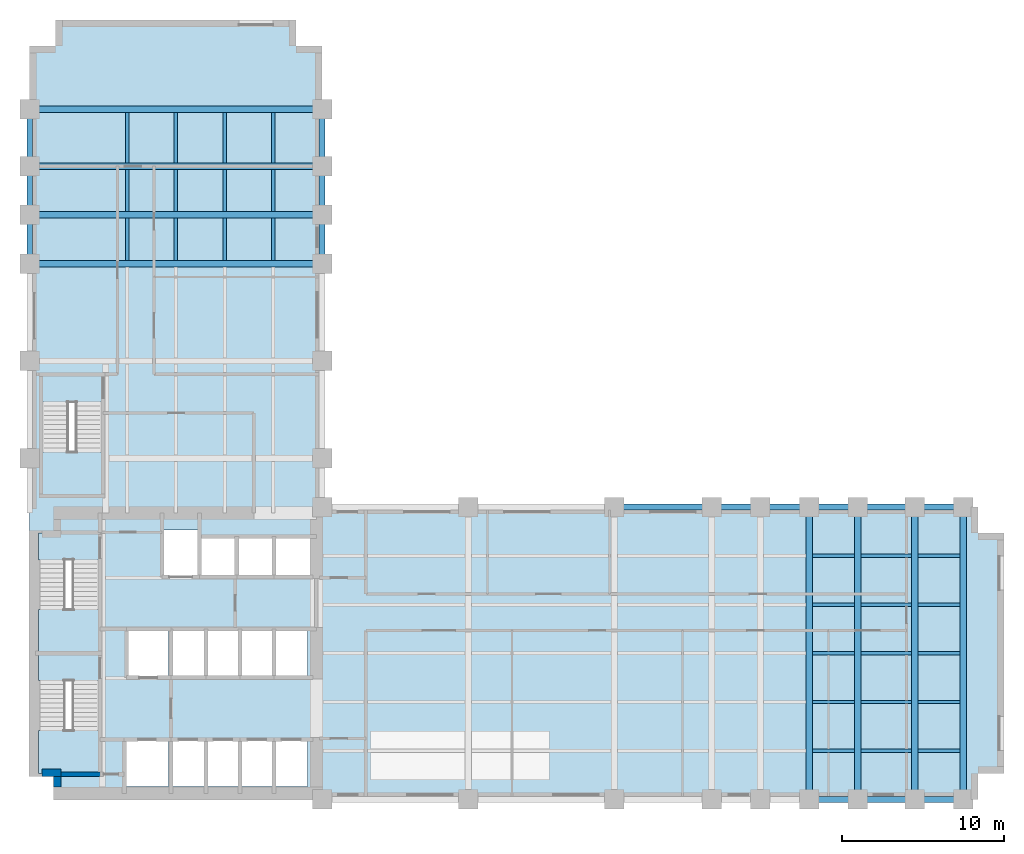
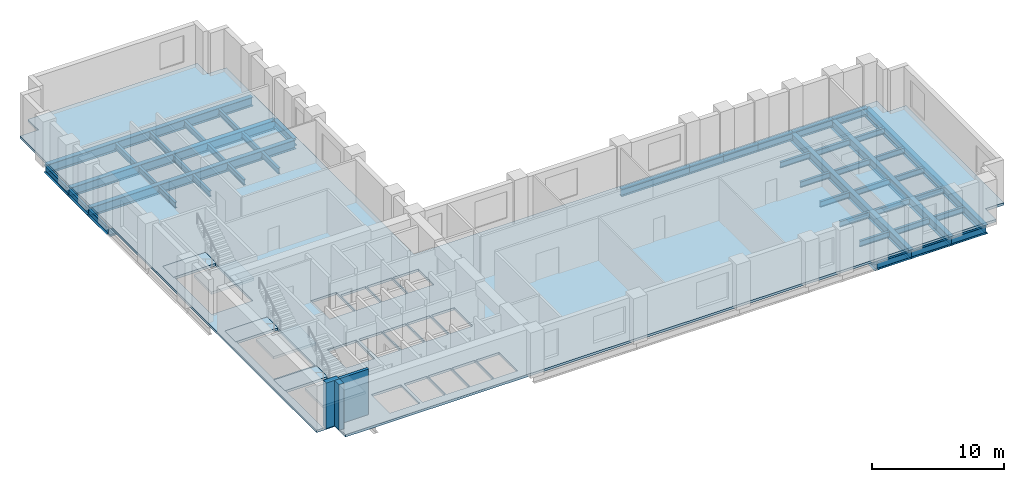
# One storey, part 2 of 7: 50 beams, 7 slabs, 3 walls, 3 elements without a shape of their own.
"""IFC4 building model written with IfcOpenShell, lengths in metres."""

from ifc_helpers import new_model, si_unit, direction, frame, frame_2d, origin, origin_2d, place, context, subcontext, project, spatial, polyline, rectangle, i_section, outline, extrude, material, layer, layer_set, material_profile, profile_set, type_object, element, aggregate, save


model = new_model("IFC4")

# Units and contexts
model_context = context("Model", 3, precision=1e-05, world=origin(), true_north=direction((0.0, 1.0)))
body_context = subcontext(model_context, "Body", "Model", "MODEL_VIEW")
ifc_project = project(units=[si_unit("LENGTHUNIT", "METRE"), si_unit("AREAUNIT", "SQUARE_METRE"), si_unit("VOLUMEUNIT", "CUBIC_METRE"), si_unit("PLANEANGLEUNIT", "RADIAN"), si_unit("MASSUNIT", "GRAM", prefix="KILO")], contexts=[model_context])

# Site, building, storey
site_placement = place(None, origin())
site = spatial("IfcSite", under=ifc_project, at=site_placement, CompositionType="ELEMENT")
building_placement = place(site_placement, origin())
building = spatial("IfcBuilding", under=site, at=building_placement, Name="Mawjdan Bourse Tower", CompositionType="ELEMENT")
storey_placement = place(building_placement, frame((0.0, 0.0, 42.60009765625)))
storey = spatial("IfcBuildingStorey", under=building, at=storey_placement, Name="L09", CompositionType="ELEMENT", Elevation=42.60009765625)

# Beams
ifc_material_1 = material(Name="Structural Steel S355", Category="steel")
ifc_material_profile_1 = material_profile(ifc_material_1, i_section(OverallWidth=0.39892578125, OverallDepth=0.85595703125, WebThickness=0.018310546875, FlangeThickness=0.029296875, FilletRadius=0.0234375, at=origin_2d()), Name="W33X201")
ifc_profile_set_1 = profile_set([ifc_material_profile_1], Name="Structural Steel S355")
beam_type_1 = type_object("IfcBeamType", Name="GRD-W33X201", PredefinedType="BEAM", material=ifc_profile_set_1)
for number, where, z_axis, x_axis, name in (
    (1, (54.0, 3.0, -0.648193359375), (0.0, 1.0, 0.0), (-1.0, 0.0, 0.0), "L09 East Wing Clear-Span Girder 006"),
    (2, (57.0, 3.0, -0.648193359375), (0.0, 1.0, 0.0), (-1.0, 0.0, 0.0), "L09 East Wing Clear-Span Girder 007"),
    (3, (60.5, 3.0, -0.648193359375), (0.0, 1.0, 0.0), (-1.0, 0.0, 0.0), "L09 East Wing Clear-Span Girder 008"),
    (4, (63.5, 3.0, -0.648193359375), (0.0, 1.0, 0.0), (-1.0, 0.0, 0.0), "L09 East Wing Clear-Span Girder 009"),
    (5, (6.0, 36.0, -0.648193359375), (1.0, 0.0, 0.0), (0.0, 1.0, 0.0), "L09 North Wing Clear-Span Girder 073"),
    (6, (6.0, 39.0, -0.648193359375), (1.0, 0.0, 0.0), (0.0, 1.0, 0.0), "L09 North Wing Clear-Span Girder 074"),
    (7, (6.0, 42.0, -0.648193359375), (1.0, 0.0, 0.0), (0.0, 1.0, 0.0), "L09 North Wing Clear-Span Girder 075"),
    (8, (6.0, 45.5, -0.648193359375), (1.0, 0.0, 0.0), (0.0, 1.0, 0.0), "L09 North Wing Clear-Span Girder 076"),
):
    element("IfcBeam", number, at=place(storey_placement, frame(where, z_axis=z_axis, x_axis=x_axis)), inside=storey, type_object=beam_type_1, Name=name, PredefinedType="BEAM", context=body_context, shape_type="SweptSolid", body=[
        extrude(i_section(OverallWidth=0.39892578125, OverallDepth=0.85595703125, WebThickness=0.018310546875, FlangeThickness=0.029296875, FilletRadius=0.0234375, at=origin_2d()), origin(), (0.0, 0.0, 1.0), 18.0),
    ])
ifc_material_profile_2 = material_profile(ifc_material_1, i_section(OverallWidth=0.2119140625, OverallDepth=0.5439453125, WebThickness=0.01318359375, FlangeThickness=0.021240234375, FilletRadius=0.01708984375, at=origin_2d()), Name="W21X83")
ifc_profile_set_2 = profile_set([ifc_material_profile_2], Name="Structural Steel S355")
beam_type_2 = type_object("IfcBeamType", Name="JST-W21X83", PredefinedType="JOIST", material=ifc_profile_set_2)
beam_1_placement = place(storey_placement, frame((54.197509765625, 6.0, -0.4921875), z_axis=(1.0, 0.0, 0.0), x_axis=(0.0, 1.0, 0.0)))
element("IfcBeam", 9, at=beam_1_placement, inside=storey, type_object=beam_type_2, Name="L09 East Wing Composite Joist 031", PredefinedType="JOIST", context=body_context, shape_type="SweptSolid", body=[
    extrude(i_section(OverallWidth=0.2119140625, OverallDepth=0.5439453125, WebThickness=0.01318359375, FlangeThickness=0.021240234375, FilletRadius=0.01708984375, at=origin_2d()), origin(), (0.0, 0.0, 1.0), 2.60498046875),
])
beam_2_placement = place(storey_placement, frame((57.197509765625, 6.0, -0.4921875), z_axis=(1.0, 0.0, 0.0), x_axis=(0.0, 1.0, 0.0)))
element("IfcBeam", 10, at=beam_2_placement, inside=storey, type_object=beam_type_2, Name="L09 East Wing Composite Joist 032", PredefinedType="JOIST", context=body_context, shape_type="SweptSolid", body=[
    extrude(i_section(OverallWidth=0.2119140625, OverallDepth=0.5439453125, WebThickness=0.01318359375, FlangeThickness=0.021240234375, FilletRadius=0.01708984375, at=origin_2d()), origin(), (0.0, 0.0, 1.0), 3.10498046875),
])
for number, where, z_axis, x_axis, name in (
    (11, (60.697509765625, 6.0, -0.4921875), (1.0, 0.0, 0.0), (0.0, 1.0, 0.0), "L09 East Wing Composite Joist 033"),
    (12, (54.197509765625, 9.0, -0.4921875), (1.0, 0.0, 0.0), (0.0, 1.0, 0.0), "L09 East Wing Composite Joist 039"),
):
    element("IfcBeam", number, at=place(storey_placement, frame(where, z_axis=z_axis, x_axis=x_axis)), inside=storey, type_object=beam_type_2, Name=name, PredefinedType="JOIST", context=body_context, shape_type="SweptSolid", body=[
        extrude(i_section(OverallWidth=0.2119140625, OverallDepth=0.5439453125, WebThickness=0.01318359375, FlangeThickness=0.021240234375, FilletRadius=0.01708984375, at=origin_2d()), origin(), (0.0, 0.0, 1.0), 2.60498046875),
    ])
beam_3_placement = place(storey_placement, frame((57.197509765625, 9.0, -0.4921875), z_axis=(1.0, 0.0, 0.0), x_axis=(0.0, 1.0, 0.0)))
element("IfcBeam", 13, at=beam_3_placement, inside=storey, type_object=beam_type_2, Name="L09 East Wing Composite Joist 040", PredefinedType="JOIST", context=body_context, shape_type="SweptSolid", body=[
    extrude(i_section(OverallWidth=0.2119140625, OverallDepth=0.5439453125, WebThickness=0.01318359375, FlangeThickness=0.021240234375, FilletRadius=0.01708984375, at=origin_2d()), origin(), (0.0, 0.0, 1.0), 3.10498046875),
])
for number, where, z_axis, x_axis, name in (
    (14, (60.697509765625, 9.0, -0.4921875), (1.0, 0.0, 0.0), (0.0, 1.0, 0.0), "L09 East Wing Composite Joist 041"),
    (15, (54.197509765625, 12.0, -0.4921875), (1.0, 0.0, 0.0), (0.0, 1.0, 0.0), "L09 East Wing Composite Joist 047"),
):
    element("IfcBeam", number, at=place(storey_placement, frame(where, z_axis=z_axis, x_axis=x_axis)), inside=storey, type_object=beam_type_2, Name=name, PredefinedType="JOIST", context=body_context, shape_type="SweptSolid", body=[
        extrude(i_section(OverallWidth=0.2119140625, OverallDepth=0.5439453125, WebThickness=0.01318359375, FlangeThickness=0.021240234375, FilletRadius=0.01708984375, at=origin_2d()), origin(), (0.0, 0.0, 1.0), 2.60498046875),
    ])
beam_4_placement = place(storey_placement, frame((57.197509765625, 12.0, -0.4921875), z_axis=(1.0, 0.0, 0.0), x_axis=(0.0, 1.0, 0.0)))
element("IfcBeam", 16, at=beam_4_placement, inside=storey, type_object=beam_type_2, Name="L09 East Wing Composite Joist 048", PredefinedType="JOIST", context=body_context, shape_type="SweptSolid", body=[
    extrude(i_section(OverallWidth=0.2119140625, OverallDepth=0.5439453125, WebThickness=0.01318359375, FlangeThickness=0.021240234375, FilletRadius=0.01708984375, at=origin_2d()), origin(), (0.0, 0.0, 1.0), 3.10498046875),
])
for number, where, z_axis, x_axis, name in (
    (17, (60.697509765625, 12.0, -0.4921875), (1.0, 0.0, 0.0), (0.0, 1.0, 0.0), "L09 East Wing Composite Joist 049"),
    (18, (54.197509765625, 15.0, -0.4921875), (1.0, 0.0, 0.0), (0.0, 1.0, 0.0), "L09 East Wing Composite Joist 055"),
):
    element("IfcBeam", number, at=place(storey_placement, frame(where, z_axis=z_axis, x_axis=x_axis)), inside=storey, type_object=beam_type_2, Name=name, PredefinedType="JOIST", context=body_context, shape_type="SweptSolid", body=[
        extrude(i_section(OverallWidth=0.2119140625, OverallDepth=0.5439453125, WebThickness=0.01318359375, FlangeThickness=0.021240234375, FilletRadius=0.01708984375, at=origin_2d()), origin(), (0.0, 0.0, 1.0), 2.60498046875),
    ])
beam_5_placement = place(storey_placement, frame((57.197509765625, 15.0, -0.4921875), z_axis=(1.0, 0.0, 0.0), x_axis=(0.0, 1.0, 0.0)))
element("IfcBeam", 19, at=beam_5_placement, inside=storey, type_object=beam_type_2, Name="L09 East Wing Composite Joist 056", PredefinedType="JOIST", context=body_context, shape_type="SweptSolid", body=[
    extrude(i_section(OverallWidth=0.2119140625, OverallDepth=0.5439453125, WebThickness=0.01318359375, FlangeThickness=0.021240234375, FilletRadius=0.01708984375, at=origin_2d()), origin(), (0.0, 0.0, 1.0), 3.10498046875),
])
for number, where, z_axis, x_axis, name in (
    (20, (60.697509765625, 15.0, -0.4921875), (1.0, 0.0, 0.0), (0.0, 1.0, 0.0), "L09 East Wing Composite Joist 057"),
    (21, (54.197509765625, 18.0, -0.4921875), (1.0, 0.0, 0.0), (0.0, 1.0, 0.0), "L09 East Wing Composite Joist 063"),
):
    element("IfcBeam", number, at=place(storey_placement, frame(where, z_axis=z_axis, x_axis=x_axis)), inside=storey, type_object=beam_type_2, Name=name, PredefinedType="JOIST", context=body_context, shape_type="SweptSolid", body=[
        extrude(i_section(OverallWidth=0.2119140625, OverallDepth=0.5439453125, WebThickness=0.01318359375, FlangeThickness=0.021240234375, FilletRadius=0.01708984375, at=origin_2d()), origin(), (0.0, 0.0, 1.0), 2.60498046875),
    ])
beam_6_placement = place(storey_placement, frame((57.197509765625, 18.0, -0.4921875), z_axis=(1.0, 0.0, 0.0), x_axis=(0.0, 1.0, 0.0)))
element("IfcBeam", 22, at=beam_6_placement, inside=storey, type_object=beam_type_2, Name="L09 East Wing Composite Joist 064", PredefinedType="JOIST", context=body_context, shape_type="SweptSolid", body=[
    extrude(i_section(OverallWidth=0.2119140625, OverallDepth=0.5439453125, WebThickness=0.01318359375, FlangeThickness=0.021240234375, FilletRadius=0.01708984375, at=origin_2d()), origin(), (0.0, 0.0, 1.0), 3.10498046875),
])
for number, where, z_axis, x_axis, name in (
    (23, (60.697509765625, 18.0, -0.4921875), (1.0, 0.0, 0.0), (0.0, 1.0, 0.0), "L09 East Wing Composite Joist 065"),
    (24, (12.0, 36.197509765625, -0.4921875), (0.0, 1.0, 0.0), (-1.0, 0.0, 0.0), "L09 North Wing Composite Joist 092"),
    (25, (12.0, 39.197509765625, -0.4921875), (0.0, 1.0, 0.0), (-1.0, 0.0, 0.0), "L09 North Wing Composite Joist 093"),
):
    element("IfcBeam", number, at=place(storey_placement, frame(where, z_axis=z_axis, x_axis=x_axis)), inside=storey, type_object=beam_type_2, Name=name, PredefinedType="JOIST", context=body_context, shape_type="SweptSolid", body=[
        extrude(i_section(OverallWidth=0.2119140625, OverallDepth=0.5439453125, WebThickness=0.01318359375, FlangeThickness=0.021240234375, FilletRadius=0.01708984375, at=origin_2d()), origin(), (0.0, 0.0, 1.0), 2.60498046875),
    ])
beam_7_placement = place(storey_placement, frame((12.0, 42.197509765625, -0.4921875), z_axis=(0.0, 1.0, 0.0), x_axis=(-1.0, 0.0, 0.0)))
element("IfcBeam", 26, at=beam_7_placement, inside=storey, type_object=beam_type_2, Name="L09 North Wing Composite Joist 094", PredefinedType="JOIST", context=body_context, shape_type="SweptSolid", body=[
    extrude(i_section(OverallWidth=0.2119140625, OverallDepth=0.5439453125, WebThickness=0.01318359375, FlangeThickness=0.021240234375, FilletRadius=0.01708984375, at=origin_2d()), origin(), (0.0, 0.0, 1.0), 3.10498046875),
])
for number, where, z_axis, x_axis, name in (
    (27, (15.0, 36.197509765625, -0.4921875), (0.0, 1.0, 0.0), (-1.0, 0.0, 0.0), "L09 North Wing Composite Joist 098"),
    (28, (15.0, 39.197509765625, -0.4921875), (0.0, 1.0, 0.0), (-1.0, 0.0, 0.0), "L09 North Wing Composite Joist 099"),
):
    element("IfcBeam", number, at=place(storey_placement, frame(where, z_axis=z_axis, x_axis=x_axis)), inside=storey, type_object=beam_type_2, Name=name, PredefinedType="JOIST", context=body_context, shape_type="SweptSolid", body=[
        extrude(i_section(OverallWidth=0.2119140625, OverallDepth=0.5439453125, WebThickness=0.01318359375, FlangeThickness=0.021240234375, FilletRadius=0.01708984375, at=origin_2d()), origin(), (0.0, 0.0, 1.0), 2.60498046875),
    ])
beam_8_placement = place(storey_placement, frame((15.0, 42.197509765625, -0.4921875), z_axis=(0.0, 1.0, 0.0), x_axis=(-1.0, 0.0, 0.0)))
element("IfcBeam", 29, at=beam_8_placement, inside=storey, type_object=beam_type_2, Name="L09 North Wing Composite Joist 100", PredefinedType="JOIST", context=body_context, shape_type="SweptSolid", body=[
    extrude(i_section(OverallWidth=0.2119140625, OverallDepth=0.5439453125, WebThickness=0.01318359375, FlangeThickness=0.021240234375, FilletRadius=0.01708984375, at=origin_2d()), origin(), (0.0, 0.0, 1.0), 3.10498046875),
])
for number, where, z_axis, x_axis, name in (
    (30, (18.0, 36.197509765625, -0.4921875), (0.0, 1.0, 0.0), (-1.0, 0.0, 0.0), "L09 North Wing Composite Joist 104"),
    (31, (18.0, 39.197509765625, -0.4921875), (0.0, 1.0, 0.0), (-1.0, 0.0, 0.0), "L09 North Wing Composite Joist 105"),
):
    element("IfcBeam", number, at=place(storey_placement, frame(where, z_axis=z_axis, x_axis=x_axis)), inside=storey, type_object=beam_type_2, Name=name, PredefinedType="JOIST", context=body_context, shape_type="SweptSolid", body=[
        extrude(i_section(OverallWidth=0.2119140625, OverallDepth=0.5439453125, WebThickness=0.01318359375, FlangeThickness=0.021240234375, FilletRadius=0.01708984375, at=origin_2d()), origin(), (0.0, 0.0, 1.0), 2.60498046875),
    ])
beam_9_placement = place(storey_placement, frame((18.0, 42.197509765625, -0.4921875), z_axis=(0.0, 1.0, 0.0), x_axis=(-1.0, 0.0, 0.0)))
element("IfcBeam", 32, at=beam_9_placement, inside=storey, type_object=beam_type_2, Name="L09 North Wing Composite Joist 106", PredefinedType="JOIST", context=body_context, shape_type="SweptSolid", body=[
    extrude(i_section(OverallWidth=0.2119140625, OverallDepth=0.5439453125, WebThickness=0.01318359375, FlangeThickness=0.021240234375, FilletRadius=0.01708984375, at=origin_2d()), origin(), (0.0, 0.0, 1.0), 3.10498046875),
])
for number, where, z_axis, x_axis, name in (
    (33, (21.0, 36.197509765625, -0.4921875), (0.0, 1.0, 0.0), (-1.0, 0.0, 0.0), "L09 North Wing Composite Joist 110"),
    (34, (21.0, 39.197509765625, -0.4921875), (0.0, 1.0, 0.0), (-1.0, 0.0, 0.0), "L09 North Wing Composite Joist 111"),
):
    element("IfcBeam", number, at=place(storey_placement, frame(where, z_axis=z_axis, x_axis=x_axis)), inside=storey, type_object=beam_type_2, Name=name, PredefinedType="JOIST", context=body_context, shape_type="SweptSolid", body=[
        extrude(i_section(OverallWidth=0.2119140625, OverallDepth=0.5439453125, WebThickness=0.01318359375, FlangeThickness=0.021240234375, FilletRadius=0.01708984375, at=origin_2d()), origin(), (0.0, 0.0, 1.0), 2.60498046875),
    ])
beam_10_placement = place(storey_placement, frame((21.0, 42.197509765625, -0.4921875), z_axis=(0.0, 1.0, 0.0), x_axis=(-1.0, 0.0, 0.0)))
element("IfcBeam", 35, at=beam_10_placement, inside=storey, type_object=beam_type_2, Name="L09 North Wing Composite Joist 112", PredefinedType="JOIST", context=body_context, shape_type="SweptSolid", body=[
    extrude(i_section(OverallWidth=0.2119140625, OverallDepth=0.5439453125, WebThickness=0.01318359375, FlangeThickness=0.021240234375, FilletRadius=0.01708984375, at=origin_2d()), origin(), (0.0, 0.0, 1.0), 3.10498046875),
])
ifc_material_profile_3 = material_profile(ifc_material_1, i_section(OverallWidth=0.35498046875, OverallDepth=0.696044921875, WebThickness=0.015380859375, FlangeThickness=0.02490234375, FilletRadius=0.019775390625, at=origin_2d()), Name="W27X146")
ifc_profile_set_3 = profile_set([ifc_material_profile_3], Name="Structural Steel S355")
beam_type_3 = type_object("IfcBeamType", Name="SPN-W27X146", PredefinedType="SPANDREL", material=ifc_profile_set_3)
beam_11_placement = place(storey_placement, frame((54.0, 3.0, -0.568115234375), z_axis=(1.0, 0.0, 0.0), x_axis=(0.0, 1.0, 0.0)))
element("IfcBeam", 36, at=beam_11_placement, inside=storey, type_object=beam_type_3, Name="L09 Perimeter Masonry-Shelf Spandrel 015", PredefinedType="SPANDREL", context=body_context, shape_type="SweptSolid", body=[
    extrude(i_section(OverallWidth=0.35498046875, OverallDepth=0.696044921875, WebThickness=0.015380859375, FlangeThickness=0.02490234375, FilletRadius=0.019775390625, at=origin_2d()), origin(), (0.0, 0.0, 1.0), 3.0),
])
beam_12_placement = place(storey_placement, frame((57.0, 3.0, -0.568115234375), z_axis=(1.0, 0.0, 0.0), x_axis=(0.0, 1.0, 0.0)))
element("IfcBeam", 37, at=beam_12_placement, inside=storey, type_object=beam_type_3, Name="L09 Perimeter Masonry-Shelf Spandrel 016", PredefinedType="SPANDREL", context=body_context, shape_type="SweptSolid", body=[
    extrude(i_section(OverallWidth=0.35498046875, OverallDepth=0.696044921875, WebThickness=0.015380859375, FlangeThickness=0.02490234375, FilletRadius=0.019775390625, at=origin_2d()), origin(), (0.0, 0.0, 1.0), 3.5),
])
beam_13_placement = place(storey_placement, frame((60.5, 3.0, -0.568115234375), z_axis=(1.0, 0.0, 0.0), x_axis=(0.0, 1.0, 0.0)))
element("IfcBeam", 38, at=beam_13_placement, inside=storey, type_object=beam_type_3, Name="L09 Perimeter Masonry-Shelf Spandrel 017", PredefinedType="SPANDREL", context=body_context, shape_type="SweptSolid", body=[
    extrude(i_section(OverallWidth=0.35498046875, OverallDepth=0.696044921875, WebThickness=0.015380859375, FlangeThickness=0.02490234375, FilletRadius=0.019775390625, at=origin_2d()), origin(), (0.0, 0.0, 1.0), 3.0),
])
beam_14_placement = place(storey_placement, frame((42.0, 21.0, -0.568115234375), z_axis=(1.0, 0.0, 0.0), x_axis=(0.0, 1.0, 0.0)))
element("IfcBeam", 39, at=beam_14_placement, inside=storey, type_object=beam_type_3, Name="L09 Perimeter Masonry-Shelf Spandrel 020", PredefinedType="SPANDREL", context=body_context, shape_type="SweptSolid", body=[
    extrude(i_section(OverallWidth=0.35498046875, OverallDepth=0.696044921875, WebThickness=0.015380859375, FlangeThickness=0.02490234375, FilletRadius=0.019775390625, at=origin_2d()), origin(), (0.0, 0.0, 1.0), 6.0),
])
for number, where, z_axis, x_axis, name in (
    (40, (48.0, 21.0, -0.568115234375), (1.0, 0.0, 0.0), (0.0, 1.0, 0.0), "L09 Perimeter Masonry-Shelf Spandrel 021"),
    (41, (51.0, 21.0, -0.568115234375), (1.0, 0.0, 0.0), (0.0, 1.0, 0.0), "L09 Perimeter Masonry-Shelf Spandrel 022"),
    (42, (54.0, 21.0, -0.568115234375), (1.0, 0.0, 0.0), (0.0, 1.0, 0.0), "L09 Perimeter Masonry-Shelf Spandrel 023"),
):
    element("IfcBeam", number, at=place(storey_placement, frame(where, z_axis=z_axis, x_axis=x_axis)), inside=storey, type_object=beam_type_3, Name=name, PredefinedType="SPANDREL", context=body_context, shape_type="SweptSolid", body=[
        extrude(i_section(OverallWidth=0.35498046875, OverallDepth=0.696044921875, WebThickness=0.015380859375, FlangeThickness=0.02490234375, FilletRadius=0.019775390625, at=origin_2d()), origin(), (0.0, 0.0, 1.0), 3.0),
    ])
beam_15_placement = place(storey_placement, frame((57.0, 21.0, -0.568115234375), z_axis=(1.0, 0.0, 0.0), x_axis=(0.0, 1.0, 0.0)))
element("IfcBeam", 43, at=beam_15_placement, inside=storey, type_object=beam_type_3, Name="L09 Perimeter Masonry-Shelf Spandrel 024", PredefinedType="SPANDREL", context=body_context, shape_type="SweptSolid", body=[
    extrude(i_section(OverallWidth=0.35498046875, OverallDepth=0.696044921875, WebThickness=0.015380859375, FlangeThickness=0.02490234375, FilletRadius=0.019775390625, at=origin_2d()), origin(), (0.0, 0.0, 1.0), 3.5),
])
for number, where, z_axis, x_axis, name in (
    (44, (60.5, 21.0, -0.568115234375), (1.0, 0.0, 0.0), (0.0, 1.0, 0.0), "L09 Perimeter Masonry-Shelf Spandrel 025"),
    (45, (6.0, 36.0, -0.568115234375), (0.0, 1.0, 0.0), (-1.0, 0.0, 0.0), "L09 North Wing Spandrel 080"),
    (46, (6.0, 39.0, -0.568115234375), (0.0, 1.0, 0.0), (-1.0, 0.0, 0.0), "L09 North Wing Spandrel 081"),
):
    element("IfcBeam", number, at=place(storey_placement, frame(where, z_axis=z_axis, x_axis=x_axis)), inside=storey, type_object=beam_type_3, Name=name, PredefinedType="SPANDREL", context=body_context, shape_type="SweptSolid", body=[
        extrude(i_section(OverallWidth=0.35498046875, OverallDepth=0.696044921875, WebThickness=0.015380859375, FlangeThickness=0.02490234375, FilletRadius=0.019775390625, at=origin_2d()), origin(), (0.0, 0.0, 1.0), 3.0),
    ])
beam_16_placement = place(storey_placement, frame((6.0, 42.0, -0.568115234375), z_axis=(0.0, 1.0, 0.0), x_axis=(-1.0, 0.0, 0.0)))
element("IfcBeam", 47, at=beam_16_placement, inside=storey, type_object=beam_type_3, Name="L09 North Wing Spandrel 082", PredefinedType="SPANDREL", context=body_context, shape_type="SweptSolid", body=[
    extrude(i_section(OverallWidth=0.35498046875, OverallDepth=0.696044921875, WebThickness=0.015380859375, FlangeThickness=0.02490234375, FilletRadius=0.019775390625, at=origin_2d()), origin(), (0.0, 0.0, 1.0), 3.5),
])
for number, where, z_axis, x_axis, name in (
    (48, (24.0, 36.0, -0.568115234375), (0.0, 1.0, 0.0), (-1.0, 0.0, 0.0), "L09 North Wing Spandrel 086"),
    (49, (24.0, 39.0, -0.568115234375), (0.0, 1.0, 0.0), (-1.0, 0.0, 0.0), "L09 North Wing Spandrel 087"),
):
    element("IfcBeam", number, at=place(storey_placement, frame(where, z_axis=z_axis, x_axis=x_axis)), inside=storey, type_object=beam_type_3, Name=name, PredefinedType="SPANDREL", context=body_context, shape_type="SweptSolid", body=[
        extrude(i_section(OverallWidth=0.35498046875, OverallDepth=0.696044921875, WebThickness=0.015380859375, FlangeThickness=0.02490234375, FilletRadius=0.019775390625, at=origin_2d()), origin(), (0.0, 0.0, 1.0), 3.0),
    ])
beam_17_placement = place(storey_placement, frame((24.0, 42.0, -0.568115234375), z_axis=(0.0, 1.0, 0.0), x_axis=(-1.0, 0.0, 0.0)))
element("IfcBeam", 50, at=beam_17_placement, inside=storey, type_object=beam_type_3, Name="L09 North Wing Spandrel 088", PredefinedType="SPANDREL", context=body_context, shape_type="SweptSolid", body=[
    extrude(i_section(OverallWidth=0.35498046875, OverallDepth=0.696044921875, WebThickness=0.015380859375, FlangeThickness=0.02490234375, FilletRadius=0.019775390625, at=origin_2d()), origin(), (0.0, 0.0, 1.0), 3.5),
])

# Stair, slabs
ifc_material_2 = material(Name="Concrete C50/60", Category="concrete")
stair_type = type_object("IfcStairType", Name="STR-CORE-1500", PredefinedType="HALF_TURN_STAIR", material=ifc_material_2)
stair_1_placement = place(storey_placement, origin())
stair_1 = element("IfcStair", 51, at=stair_1_placement, inside=storey, type_object=stair_type, Name="L09 Exit Stair 1 (Core South-West)", PredefinedType="HALF_TURN_STAIR")
ifc_layer_1 = layer(ifc_material_2, 0.22998046875)
ifc_layer_set_1 = layer_set([ifc_layer_1], Name="Concrete C50/60")
slab_type_1 = type_object("IfcSlabType", Name="SL-LND-230", PredefinedType="LANDING", material=ifc_layer_set_1)
slab_1_placement = place(storey_placement, frame((0.0, 0.0, -0.22998046875)))
slab_1 = element("IfcSlab", 52, at=slab_1_placement, type_object=slab_type_1, Name="ST1-L09 landing 1", PredefinedType="LANDING", context=body_context, shape_type="SweptSolid", body=[
    extrude(outline(polyline([(6.5400390625, 10.31005859375), (10.260009765625, 10.31005859375), (10.260009765625, 11.969970703125), (6.5400390625, 11.969970703125), (6.5400390625, 10.31005859375)])), origin(), (0.0, 0.0, 1.0), 0.22998046875),
])
slab_2_placement = place(storey_placement, frame((0.0, 0.0, 1.869873046875)))
slab_2 = element("IfcSlab", 53, at=slab_2_placement, type_object=slab_type_1, Name="ST1-L09 landing 2", PredefinedType="LANDING", context=body_context, shape_type="SweptSolid", body=[
    extrude(outline(polyline([(6.5400390625, 4.590087890625), (10.260009765625, 4.590087890625), (10.260009765625, 7.2548828125), (6.5400390625, 7.2548828125), (6.5400390625, 4.590087890625)])), origin(), (0.0, 0.0, 1.0), 0.22998046875),
])
aggregate(stair_1, [slab_1, slab_2])

stair_2_placement = place(storey_placement, origin())
stair_2 = element("IfcStair", 54, at=stair_2_placement, inside=storey, type_object=stair_type, Name="L09 Exit Stair 2 (Core North-West)", PredefinedType="HALF_TURN_STAIR")
slab_3_placement = place(storey_placement, frame((0.0, 0.0, -0.22998046875)))
slab_3 = element("IfcSlab", 55, at=slab_3_placement, type_object=slab_type_1, Name="ST2-L09 landing 1", PredefinedType="LANDING", context=body_context, shape_type="SweptSolid", body=[
    extrude(outline(polyline([(6.5400390625, 17.75), (10.260009765625, 17.75), (10.260009765625, 19.409912109375), (6.5400390625, 19.409912109375), (6.5400390625, 17.75)])), origin(), (0.0, 0.0, 1.0), 0.22998046875),
])
slab_4_placement = place(storey_placement, frame((0.0, 0.0, 1.869873046875)))
slab_4 = element("IfcSlab", 56, at=slab_4_placement, type_object=slab_type_1, Name="ST2-L09 landing 2", PredefinedType="LANDING", context=body_context, shape_type="SweptSolid", body=[
    extrude(outline(polyline([(6.5400390625, 12.030029296875), (10.260009765625, 12.030029296875), (10.260009765625, 14.695068359375), (6.5400390625, 14.695068359375), (6.5400390625, 12.030029296875)])), origin(), (0.0, 0.0, 1.0), 0.22998046875),
])
aggregate(stair_2, [slab_3, slab_4])

stair_3_placement = place(storey_placement, origin())
stair_3 = element("IfcStair", 57, at=stair_3_placement, inside=storey, type_object=stair_type, Name="L09 Exit Stair 3 (North Wing)", PredefinedType="HALF_TURN_STAIR")
slab_5_placement = place(storey_placement, frame((0.0, 0.0, -0.22998046875)))
slab_5 = element("IfcSlab", 58, at=slab_5_placement, type_object=slab_type_1, Name="ST3-L09 landing 1", PredefinedType="LANDING", context=body_context, shape_type="SweptSolid", body=[
    extrude(outline(polyline([(6.739990234375, 27.4599609375), (10.4599609375, 27.4599609375), (10.4599609375, 29.1201171875), (6.739990234375, 29.1201171875), (6.739990234375, 27.4599609375)])), origin(), (0.0, 0.0, 1.0), 0.22998046875),
])
slab_6_placement = place(storey_placement, frame((0.0, 0.0, 1.869873046875)))
slab_6 = element("IfcSlab", 59, at=slab_6_placement, type_object=slab_type_1, Name="ST3-L09 landing 2", PredefinedType="LANDING", context=body_context, shape_type="SweptSolid", body=[
    extrude(outline(polyline([(6.739990234375, 21.739990234375), (10.4599609375, 21.739990234375), (10.4599609375, 24.405029296875), (6.739990234375, 24.405029296875), (6.739990234375, 21.739990234375)])), origin(), (0.0, 0.0, 1.0), 0.22998046875),
])
aggregate(stair_3, [slab_5, slab_6])

# Slab
ifc_layer_2 = layer(ifc_material_2, 0.219970703125)
ifc_layer_set_2 = layer_set([ifc_layer_2], Name="Concrete C50/60")
slab_type_2 = type_object("IfcSlabType", Name="SL-TRD-220", PredefinedType="FLOOR", material=ifc_layer_set_2)
slab_7_placement = place(storey_placement, frame((0.0, 0.0, -0.22021484375)))
element("IfcSlab", 60, at=slab_7_placement, inside=storey, type_object=slab_type_2, Name="L09 Structural Floor Slab 1", PredefinedType="FLOOR", context=body_context, shape_type="SweptSolid", body=[
    extrude(outline(polyline([(7.60009765625, 3.0), (64.39990234375, 3.0), (64.39990234375, 4.60009765625), (66.0, 4.60009765625), (66.0, 19.39990234375), (64.39990234375, 19.39990234375), (64.39990234375, 21.0), (24.0, 21.0), (24.0, 49.39990234375), (22.39990234375, 49.39990234375), (22.39990234375, 51.0), (7.60009765625, 51.0), (7.60009765625, 49.39990234375), (6.0, 49.39990234375), (6.0, 4.60009765625), (7.60009765625, 4.60009765625), (7.60009765625, 3.0)]), holes=[polyline([(11.949951171875, 3.800048828125), (11.949951171875, 6.60009765625), (14.550048828125, 6.60009765625), (14.550048828125, 3.800048828125), (11.949951171875, 3.800048828125)]), polyline([(14.800048828125, 3.800048828125), (14.800048828125, 6.60009765625), (16.800048828125, 6.60009765625), (16.800048828125, 3.800048828125), (14.800048828125, 3.800048828125)]), polyline([(10.260009765625, 11.969970703125), (10.260009765625, 10.31005859375), (10.199951171875, 10.31005859375), (10.199951171875, 4.64990234375), (6.60009765625, 4.64990234375), (6.60009765625, 10.31005859375), (6.5400390625, 10.31005859375), (6.5400390625, 11.969970703125), (10.260009765625, 11.969970703125)]), polyline([(12.050048828125, 13.39990234375), (14.550048828125, 13.39990234375), (14.550048828125, 10.60009765625), (12.050048828125, 10.60009765625), (12.050048828125, 13.39990234375)]), polyline([(6.60009765625, 17.75), (6.5400390625, 17.75), (6.5400390625, 19.409912109375), (10.260009765625, 19.409912109375), (10.260009765625, 17.75), (10.199951171875, 17.75), (10.199951171875, 12.090087890625), (6.60009765625, 12.090087890625), (6.60009765625, 17.75)]), polyline([(14.199951171875, 16.800048828125), (14.199951171875, 19.60009765625), (16.39990234375, 19.60009765625), (16.39990234375, 16.800048828125), (14.199951171875, 16.800048828125)]), polyline([(10.4599609375, 27.4599609375), (10.39990234375, 27.4599609375), (10.39990234375, 21.800048828125), (6.800048828125, 21.800048828125), (6.800048828125, 27.4599609375), (6.739990234375, 27.4599609375), (6.739990234375, 29.1201171875), (10.4599609375, 29.1201171875), (10.4599609375, 27.4599609375)]), polyline([(16.89990234375, 3.800048828125), (16.89990234375, 6.60009765625), (18.89990234375, 6.60009765625), (18.89990234375, 3.800048828125), (16.89990234375, 3.800048828125)]), polyline([(19.0, 3.800048828125), (19.0, 6.60009765625), (21.0, 6.60009765625), (21.0, 3.800048828125), (19.0, 3.800048828125)]), polyline([(21.10009765625, 3.800048828125), (21.10009765625, 6.60009765625), (23.10009765625, 6.60009765625), (23.10009765625, 3.800048828125), (21.10009765625, 3.800048828125)]), polyline([(14.800048828125, 13.39990234375), (16.800048828125, 13.39990234375), (16.800048828125, 10.60009765625), (14.800048828125, 10.60009765625), (14.800048828125, 13.39990234375)]), polyline([(16.89990234375, 13.39990234375), (18.89990234375, 13.39990234375), (18.89990234375, 10.60009765625), (16.89990234375, 10.60009765625), (16.89990234375, 13.39990234375)]), polyline([(19.0, 10.60009765625), (19.0, 13.39990234375), (21.0, 13.39990234375), (21.0, 10.60009765625), (19.0, 10.60009765625)]), polyline([(21.10009765625, 10.60009765625), (21.10009765625, 13.39990234375), (23.10009765625, 13.39990234375), (23.10009765625, 10.60009765625), (21.10009765625, 10.60009765625)]), polyline([(16.5, 16.800048828125), (16.5, 19.14990234375), (18.699951171875, 19.14990234375), (18.699951171875, 16.800048828125), (16.5, 16.800048828125)]), polyline([(18.800048828125, 19.14990234375), (21.0, 19.14990234375), (21.0, 16.800048828125), (18.800048828125, 16.800048828125), (18.800048828125, 19.14990234375)]), polyline([(21.10009765625, 19.14990234375), (23.300048828125, 19.14990234375), (23.300048828125, 16.800048828125), (21.10009765625, 16.800048828125), (21.10009765625, 19.14990234375)])]), origin(), (0.0, 0.0, 1.0), 0.22021484375),
])

# Walls
ifc_material_3 = material(Name="Concrete C60/75", Category="concrete")
ifc_layer_3 = layer(ifc_material_3, 0.449951171875)
ifc_layer_set_3 = layer_set([ifc_layer_3], Name="Concrete C60/75")
wall_type_1 = type_object("IfcWallType", Name="WL-CORE-450", PredefinedType="SHEAR", material=ifc_layer_set_3)
wall_1_placement = place(storey_placement, frame((6.75, 4.64990234375, 0.0), z_axis=(0.0, 0.0, 1.0), x_axis=(1.0, 0.0, 0.0)))
element("IfcWall", 61, at=wall_1_placement, inside=storey, type_object=wall_type_1, Name="L09 Rear Core Shear Wall SW-X", PredefinedType="SHEAR", context=body_context, shape_type="SweptSolid", body=[
    extrude(rectangle(XDim=1.175048828125, YDim=0.449951171875, at=frame_2d((0.58740234375, 0.0))), origin(), (0.0, 0.0, 1.0), 4.199951171875),
])
wall_2_placement = place(storey_placement, frame((7.699951171875, 3.75, 0.0), z_axis=(0.0, 0.0, 1.0), x_axis=(0.0, 1.0, 0.0)))
element("IfcWall", 62, at=wall_2_placement, inside=storey, type_object=wall_type_1, Name="L09 Rear Core Shear Wall SW-Y", PredefinedType="SHEAR", context=body_context, shape_type="SweptSolid", body=[
    extrude(rectangle(XDim=0.675048828125, YDim=0.449951171875, at=frame_2d((0.33740234375, 0.0))), origin(), (0.0, 0.0, 1.0), 4.199951171875),
])
ifc_layer_4 = layer(ifc_material_2, 0.25)
ifc_layer_set_4 = layer_set([ifc_layer_4], Name="Concrete C50/60")
wall_type_2 = type_object("IfcWallType", Name="WL-STRW-250", PredefinedType="SHEAR", material=ifc_layer_set_4)
wall_3_placement = place(storey_placement, frame((7.699951171875, 4.550048828125, 0.0), z_axis=(0.0, 0.0, 1.0), x_axis=(1.0, 0.0, 0.0)))
element("IfcWall", 63, at=wall_3_placement, inside=storey, type_object=wall_type_2, Name="L09 Stairwell ST1 South Shaft Wall", PredefinedType="SHEAR", context=body_context, shape_type="SweptSolid", body=[
    extrude(rectangle(XDim=2.755126953125, YDim=0.25, at=frame_2d((1.37744140625, 0.0))), origin(), (0.0, 0.0, 1.0), 4.199951171875),
])

save(model, "model.ifc")
